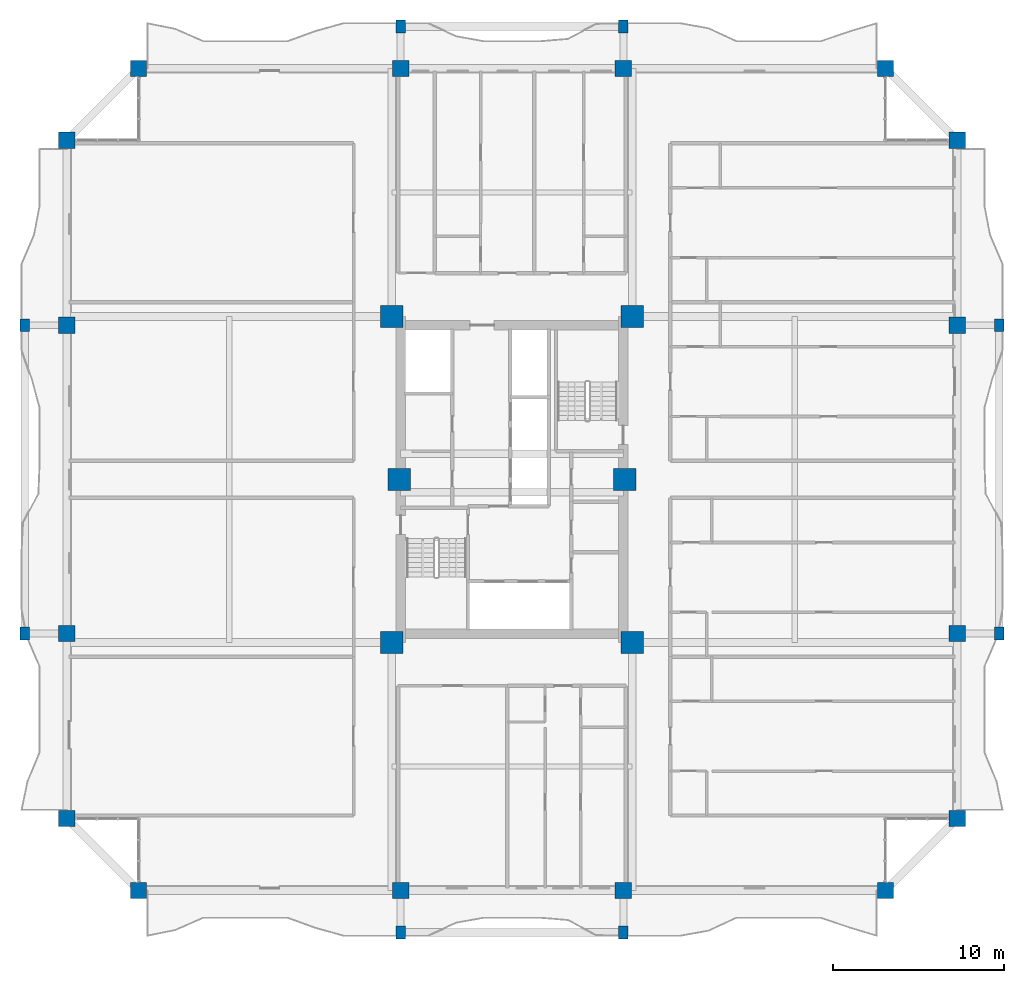
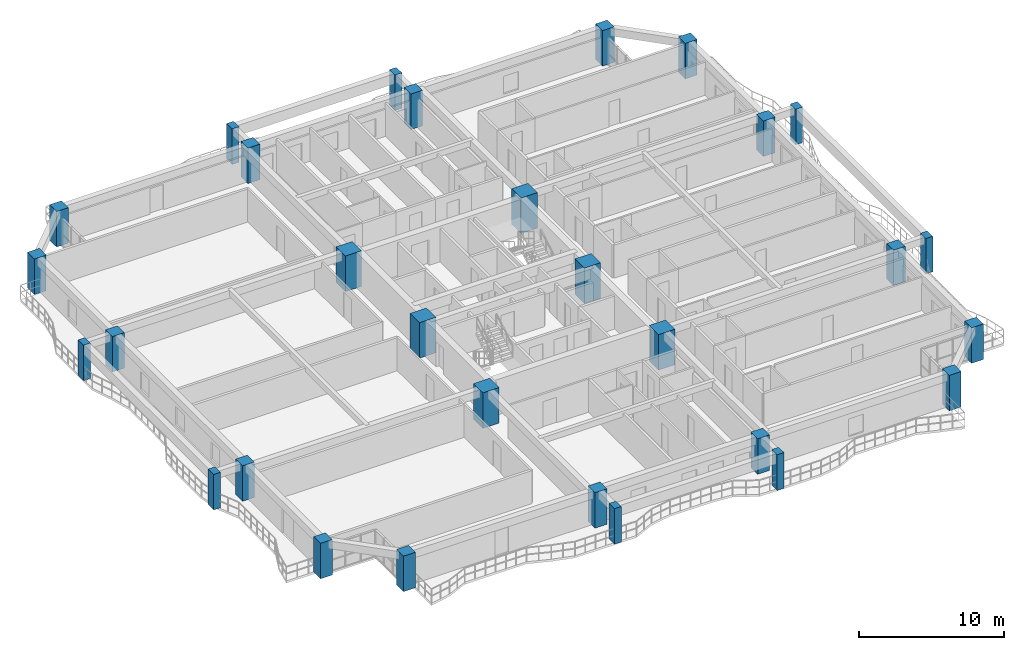
# One storey, part 1 of 24: 30 columns.
"""IFC4 building model written with IfcOpenShell, lengths in metres."""

from ifc_helpers import new_model, si_unit, direction, frame, origin, origin_2d, place, context, subcontext, project, spatial, rectangle, extrude, source, transform, mapped, material, material_profile, profile_set, type_object, element, save


model = new_model("IFC4")

# Units and contexts
model_context = context("Model", 3, precision=1e-05, world=origin(), true_north=direction((0.0, 1.0)))
body_context = subcontext(model_context, "Body", "Model", "MODEL_VIEW")
ifc_project = project(units=[si_unit("LENGTHUNIT", "METRE"), si_unit("AREAUNIT", "SQUARE_METRE"), si_unit("VOLUMEUNIT", "CUBIC_METRE"), si_unit("PLANEANGLEUNIT", "RADIAN"), si_unit("MASSUNIT", "GRAM", prefix="KILO")], contexts=[model_context])

# Site, building, storey
site_placement = place(None, origin())
site = spatial("IfcSite", under=ifc_project, at=site_placement, CompositionType="ELEMENT")
building_placement = place(site_placement, origin())
building = spatial("IfcBuilding", under=site, at=building_placement, Name="Saelheon Loggia Tower", CompositionType="ELEMENT")
storey_placement = place(building_placement, frame((0.0, 0.0, 98.85009765625)))
storey = spatial("IfcBuildingStorey", under=building, at=storey_placement, Name="L31", CompositionType="ELEMENT", Elevation=98.85009765625)

# Columns
ifc_material_1 = material(Name="Precast Concrete C45/55", Category="concrete")
ifc_material_profile_1 = material_profile(ifc_material_1, rectangle(XDim=0.550048828125, YDim=0.75, at=origin_2d()), Name="RC-550x750")
ifc_profile_set_1 = profile_set([ifc_material_profile_1], Name="Precast Concrete C45/55")
column_type_1 = type_object("IfcColumnType", Name="Col_Loggia_Pilaster_750", PredefinedType="PILASTER", material=ifc_profile_set_1)
shared_shape_1 = source(origin(), body_context, "Body", "SweptSolid", [
    extrude(rectangle(XDim=0.550048828125, YDim=0.75, at=origin_2d()), origin(), (0.0, 0.0, 1.0), 3.0),
])
for number, where, z_axis, x_axis, name in (
    (1, (31.5, 0.550048828125, 0.0), (0.0, 0.0, 1.0), (1.0, 0.0, 0.0), "L31 Loggia Frame Pilaster LP-S1"),
    (2, (44.5, 0.550048828125, 0.0), (0.0, 0.0, 1.0), (1.0, 0.0, 0.0), "L31 Loggia Frame Pilaster LP-S2"),
    (3, (31.5, 53.449951171875, 0.0), (0.0, 0.0, 1.0), (1.0, 0.0, 0.0), "L31 Loggia Frame Pilaster LP-N1"),
    (4, (44.5, 53.449951171875, 0.0), (0.0, 0.0, 1.0), (1.0, 0.0, 0.0), "L31 Loggia Frame Pilaster LP-N2"),
    (5, (66.449951171875, 18.0, 0.0), (0.0, 0.0, 1.0), (1.0, 0.0, 0.0), "L31 Loggia Frame Pilaster LP-E1"),
    (6, (66.449951171875, 36.0, 0.0), (0.0, 0.0, 1.0), (1.0, 0.0, 0.0), "L31 Loggia Frame Pilaster LP-E2"),
    (7, (9.550048828125, 18.0, 0.0), (0.0, 0.0, 1.0), (1.0, 0.0, 0.0), "L31 Loggia Frame Pilaster LP-W1"),
    (8, (9.550048828125, 36.0, 0.0), (0.0, 0.0, 1.0), (1.0, 0.0, 0.0), "L31 Loggia Frame Pilaster LP-W2"),
):
    element("IfcColumn", number, at=place(storey_placement, frame(where, z_axis=z_axis, x_axis=x_axis)), inside=storey, type_object=column_type_1, Name=name, PredefinedType="PILASTER", context=body_context, shape_type="MappedRepresentation", body=[
        mapped(shared_shape_1, transform((0.0, 0.0, 0.0), scale=1.0)),
    ])
ifc_material_2 = material(Name="Concrete C60/75", Category="concrete")
ifc_material_profile_2 = material_profile(ifc_material_2, rectangle(XDim=1.300048828125, YDim=1.300048828125, at=origin_2d()), Name="RC-1300x1300")
ifc_profile_set_2 = profile_set([ifc_material_profile_2], Name="Concrete C60/75")
column_type_2 = type_object("IfcColumnType", Name="Col_Core_RC1300", PredefinedType="COLUMN", material=ifc_profile_set_2)
shared_shape_2 = source(origin(), body_context, "Body", "SweptSolid", [
    extrude(rectangle(XDim=1.300048828125, YDim=1.300048828125, at=origin_2d()), origin(), (0.0, 0.0, 1.0), 3.0),
])
for number, where, z_axis, x_axis, name in (
    (9, (30.97998046875, 17.47998046875, 0.0), (0.0, 0.0, 1.0), (1.0, 0.0, 0.0), "L31 Core Column CR-SW"),
    (10, (45.02001953125, 17.47998046875, 0.0), (0.0, 0.0, 1.0), (1.0, 0.0, 0.0), "L31 Core Column CR-SE"),
    (11, (30.97998046875, 36.52001953125, 0.0), (0.0, 0.0, 1.0), (1.0, 0.0, 0.0), "L31 Core Column CR-NW"),
    (12, (45.02001953125, 36.52001953125, 0.0), (0.0, 0.0, 1.0), (1.0, 0.0, 0.0), "L31 Core Column CR-NE"),
    (13, (31.419921875, 27.0, 0.0), (0.0, 0.0, 1.0), (1.0, 0.0, 0.0), "L31 Core Column CR-MW"),
    (14, (44.580078125, 27.0, 0.0), (0.0, 0.0, 1.0), (1.0, 0.0, 0.0), "L31 Core Column CR-ME"),
):
    element("IfcColumn", number, at=place(storey_placement, frame(where, z_axis=z_axis, x_axis=x_axis)), inside=storey, type_object=column_type_2, Name=name, PredefinedType="COLUMN", context=body_context, shape_type="MappedRepresentation", body=[
        mapped(shared_shape_2, transform((0.0, 0.0, 0.0), scale=1.0)),
    ])
ifc_material_3 = material(Name="Concrete C50/60", Category="concrete")
ifc_material_profile_3 = material_profile(ifc_material_3, rectangle(XDim=0.949951171875, YDim=0.949951171875, at=origin_2d()), Name="RC-950x950")
ifc_profile_set_3 = profile_set([ifc_material_profile_3], Name="Concrete C50/60")
column_type_3 = type_object("IfcColumnType", Name="Col_Perim_RC950", PredefinedType="COLUMN", material=ifc_profile_set_3)
shared_shape_3 = source(origin(), body_context, "Body", "SweptSolid", [
    extrude(rectangle(XDim=0.949951171875, YDim=0.949951171875, at=origin_2d()), origin(), (0.0, 0.0, 1.0), 3.0),
])
for number, where, z_axis, x_axis, name in (
    (15, (16.199951171875, 3.0, 0.0), (0.0, 0.0, 1.0), (1.0, 0.0, 0.0), "L31 Perimeter Column TP-S1"),
    (16, (31.5, 3.0, 0.0), (0.0, 0.0, 1.0), (1.0, 0.0, 0.0), "L31 Perimeter Column TP-SA"),
    (17, (44.5, 3.0, 0.0), (0.0, 0.0, 1.0), (1.0, 0.0, 0.0), "L31 Perimeter Column TP-SB"),
    (18, (59.800048828125, 3.0, 0.0), (0.0, 0.0, 1.0), (1.0, 0.0, 0.0), "L31 Perimeter Column TP-S2"),
    (19, (64.0, 7.199951171875, 0.0), (0.0, 0.0, 1.0), (1.0, 0.0, 0.0), "L31 Perimeter Column TP-E1"),
    (20, (64.0, 18.0, 0.0), (0.0, 0.0, 1.0), (1.0, 0.0, 0.0), "L31 Perimeter Column TP-EA"),
    (21, (64.0, 36.0, 0.0), (0.0, 0.0, 1.0), (1.0, 0.0, 0.0), "L31 Perimeter Column TP-EB"),
    (22, (64.0, 46.800048828125, 0.0), (0.0, 0.0, 1.0), (1.0, 0.0, 0.0), "L31 Perimeter Column TP-E2"),
    (23, (59.800048828125, 51.0, 0.0), (0.0, 0.0, 1.0), (1.0, 0.0, 0.0), "L31 Perimeter Column TP-N2"),
    (24, (44.5, 51.0, 0.0), (0.0, 0.0, 1.0), (1.0, 0.0, 0.0), "L31 Perimeter Column TP-NB"),
    (25, (31.5, 51.0, 0.0), (0.0, 0.0, 1.0), (1.0, 0.0, 0.0), "L31 Perimeter Column TP-NA"),
    (26, (16.199951171875, 51.0, 0.0), (0.0, 0.0, 1.0), (1.0, 0.0, 0.0), "L31 Perimeter Column TP-N1"),
    (27, (12.0, 46.800048828125, 0.0), (0.0, 0.0, 1.0), (1.0, 0.0, 0.0), "L31 Perimeter Column TP-W2"),
    (28, (12.0, 36.0, 0.0), (0.0, 0.0, 1.0), (1.0, 0.0, 0.0), "L31 Perimeter Column TP-WB"),
    (29, (12.0, 18.0, 0.0), (0.0, 0.0, 1.0), (1.0, 0.0, 0.0), "L31 Perimeter Column TP-WA"),
    (30, (12.0, 7.199951171875, 0.0), (0.0, 0.0, 1.0), (1.0, 0.0, 0.0), "L31 Perimeter Column TP-W1"),
):
    element("IfcColumn", number, at=place(storey_placement, frame(where, z_axis=z_axis, x_axis=x_axis)), inside=storey, type_object=column_type_3, Name=name, PredefinedType="COLUMN", context=body_context, shape_type="MappedRepresentation", body=[
        mapped(shared_shape_3, transform((0.0, 0.0, 0.0), scale=1.0)),
    ])

save(model, "model.ifc")
